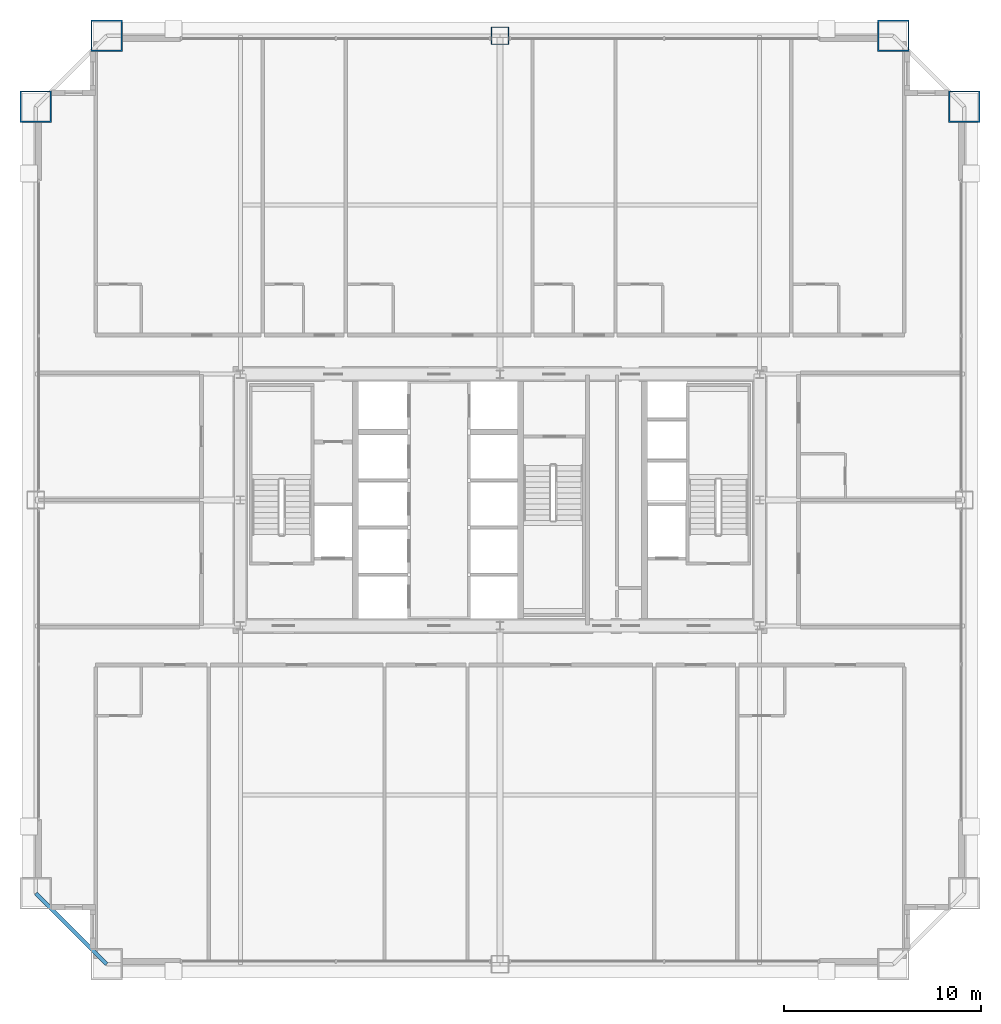
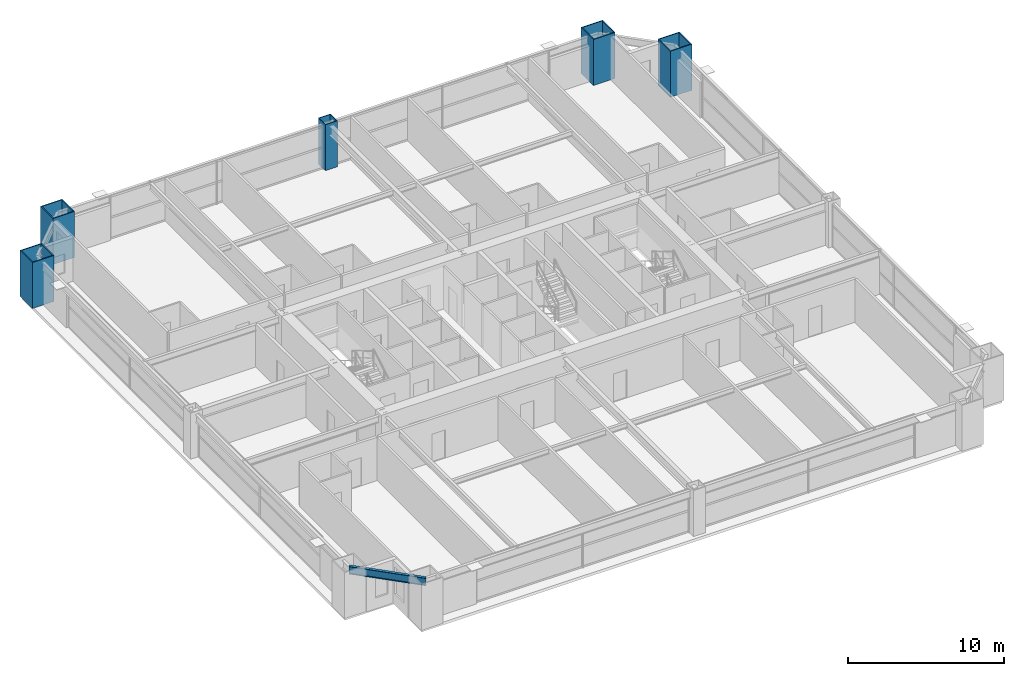
# One storey, part 3 of 39: 5 columns, 1 beam.
"""IFC4 building model written with IfcOpenShell, lengths in metres."""

import ifcopenshell
import ifcopenshell.guid

model = None  # the IFC model being written
_history = None  # IfcOwnerHistory: only IFC2X3 demands one
_inside = {}  # id of a spatial element -> (the spatial element, [elements in it])
_under = {}  # id of a project, library or spatial element -> (it, [spatial elements below it])
_declared = {}  # id of a project -> (the project, [libraries it declares])
_typed = {}  # id of a type object -> (the type object, [elements of that type])
_made_of = {}  # id of a material, layer set ... -> (it, [elements and type objects made of it])


def new_model(schema):
    """Start an empty IFC model of exactly this schema.

    Asked for "IFC4X3", IfcOpenShell would pick the latest addendum, in which some entities
    have other attributes; the version numbers below select the first issue.
    IFC2X3 requires an IfcOwnerHistory on every rooted entity: one is made here for all.
    """
    global model, _history
    if schema == "IFC4X3":
        model = ifcopenshell.file(schema_version=(4, 3, 0, 0))
    else:
        model = ifcopenshell.file(schema=schema)
    _inside.clear()
    _under.clear()
    _declared.clear()
    _typed.clear()
    _made_of.clear()
    _history = None
    if model.schema == "IFC2X3":
        org = make("IfcOrganization", Name="unknown")
        user = make(
            "IfcPersonAndOrganization",
            ThePerson=make("IfcPerson", FamilyName="unknown"),
            TheOrganization=org,
        )
        app = make(
            "IfcApplication",
            ApplicationDeveloper=org,
            Version="unknown",
            ApplicationFullName="unknown",
            ApplicationIdentifier="unknown",
        )
        _history = make(
            "IfcOwnerHistory",
            OwningUser=user,
            OwningApplication=app,
            ChangeAction="ADDED",
            CreationDate=0,
        )
    return model


def make(cls, **values):
    """One entity of the class cls with the attributes given. An attribute that is None is left unset."""
    return model.create_entity(
        cls, **{name: value for name, value in values.items() if value is not None}
    )


def rooted(cls, **values):
    """An entity with a GlobalId (a new one), such as an element, a storey or a relation."""
    return make(cls, GlobalId=ifcopenshell.guid.new(), OwnerHistory=_history, **values)


def si_unit(unit_type, name, prefix=None):
    """IfcSIUnit, for example si_unit("LENGTHUNIT", "METRE", prefix="MILLI")."""
    return make("IfcSIUnit", UnitType=unit_type, Prefix=prefix, Name=name)


def assignment(units):
    """IfcUnitAssignment: the units of a project."""
    return None if units is None else make("IfcUnitAssignment", Units=units)


def point(xyz):
    """IfcCartesianPoint."""
    return None if xyz is None else make("IfcCartesianPoint", Coordinates=xyz)


def direction(xyz):
    """IfcDirection."""
    return None if xyz is None else make("IfcDirection", DirectionRatios=xyz)


def frame(location, z_axis=None, x_axis=None):
    """IfcAxis2Placement3D, a coordinate frame: its origin and axes. An axis left out is left unset."""
    return make(
        "IfcAxis2Placement3D",
        Location=point(location),
        Axis=direction(z_axis),
        RefDirection=direction(x_axis),
    )


def frame_2d(location, x_axis=None):
    """IfcAxis2Placement2D, a coordinate frame in the plane: its origin and x axis."""
    return make(
        "IfcAxis2Placement2D", Location=point(location), RefDirection=direction(x_axis)
    )


def origin():
    """The frame at (0, 0, 0) with its axes left unset."""
    return frame((0.0, 0.0, 0.0))


def origin_2d():
    """The frame at (0, 0) in the plane with its x axis left unset."""
    return frame_2d((0.0, 0.0))


def place(relative_to, where):
    """IfcLocalPlacement: puts the frame where relative to a parent placement (None: the world)."""
    return make(
        "IfcLocalPlacement", PlacementRelTo=relative_to, RelativePlacement=where
    )


def context(
    kind, dimensions, precision=None, world=None, true_north=None, identifier=None
):
    """IfcGeometricRepresentationContext, for example the 3D "Model" context."""
    return make(
        "IfcGeometricRepresentationContext",
        ContextIdentifier=identifier,
        ContextType=kind,
        CoordinateSpaceDimension=dimensions,
        Precision=precision,
        WorldCoordinateSystem=world,
        TrueNorth=true_north,
    )


def subcontext(parent, identifier, kind, view, scale=None):
    """IfcGeometricRepresentationSubContext, for example "Body" below "Model"."""
    return make(
        "IfcGeometricRepresentationSubContext",
        ContextIdentifier=identifier,
        ContextType=kind,
        ParentContext=parent,
        TargetScale=scale,
        TargetView=view,
    )


def project(units=None, contexts=None):
    """IfcProject with its units and contexts."""
    return rooted(
        "IfcProject",
        Name="project",
        RepresentationContexts=contexts,
        UnitsInContext=assignment(units),
    )


def spatial(cls, under=None, at=None, **own):
    """A site, building, storey or space (cls), placed at a placement, below another one or the project."""
    s = rooted(cls, ObjectPlacement=at, **own)
    if under is not None:
        _under.setdefault(under.id(), (under, []))[1].append(s)
    return s


def profile(cls, at=None, kind="AREA", **sizes):
    """A parametric profile (cls). Its sizes go by their IFC names, for example OverallWidth=200.0."""
    return make(cls, ProfileType=kind, Position=at, **sizes)


def hollow_rectangle(**sizes):
    """IfcRectangleHollowProfileDef."""
    return profile("IfcRectangleHollowProfileDef", **sizes)


def i_section(**sizes):
    """IfcIShapeProfileDef."""
    return profile("IfcIShapeProfileDef", **sizes)


def extrude(swept, where, along, depth):
    """IfcExtrudedAreaSolid: the profile swept, set in the frame where, extruded along a direction by depth."""
    return make(
        "IfcExtrudedAreaSolid",
        SweptArea=swept,
        Position=where,
        ExtrudedDirection=direction(along),
        Depth=depth,
    )


def shape(context_of_items, identifier, shape_type, items):
    """IfcShapeRepresentation: the items that make up one representation, for example the "Body"."""
    return make(
        "IfcShapeRepresentation",
        ContextOfItems=context_of_items,
        RepresentationIdentifier=identifier,
        RepresentationType=shape_type,
        Items=items,
    )


def source(mapping_origin, context_of_items, identifier, shape_type, items):
    """IfcRepresentationMap: a shape defined once, which mapped items show again and again."""
    return make(
        "IfcRepresentationMap",
        MappingOrigin=mapping_origin,
        MappedRepresentation=shape(context_of_items, identifier, shape_type, items),
    )


def transform(
    local_origin,
    x_axis=None,
    y_axis=None,
    z_axis=None,
    scale=None,
    scale2=None,
    scale3=None,
    uniform=True,
):
    """IfcCartesianTransformationOperator3D, or its non-uniform kind. x_axis, y_axis, z_axis: its Axis1, 2, 3."""
    if uniform:
        return make(
            "IfcCartesianTransformationOperator3D",
            Axis1=direction(x_axis),
            Axis2=direction(y_axis),
            LocalOrigin=point(local_origin),
            Scale=scale,
            Axis3=direction(z_axis),
        )
    return make(
        "IfcCartesianTransformationOperator3DnonUniform",
        Axis1=direction(x_axis),
        Axis2=direction(y_axis),
        LocalOrigin=point(local_origin),
        Scale=scale,
        Axis3=direction(z_axis),
        Scale2=scale2,
        Scale3=scale3,
    )


def mapped(mapping_source, mapping_target):
    """IfcMappedItem: shows the shape of a source again, moved by a transform."""
    return make(
        "IfcMappedItem", MappingSource=mapping_source, MappingTarget=mapping_target
    )


def material(Name=None, Category=None):
    """IfcMaterial."""
    return make("IfcMaterial", Name=Name, Category=Category)


def material_profile(
    of_material, cross_section, Name=None, Category=None, Priority=None
):
    """IfcMaterialProfile: a cross section and its material."""
    return make(
        "IfcMaterialProfile",
        Name=Name,
        Material=of_material,
        Profile=cross_section,
        Priority=Priority,
        Category=Category,
    )


def profile_set(profiles, Name=None, composite=None):
    """IfcMaterialProfileSet."""
    return make(
        "IfcMaterialProfileSet",
        Name=Name,
        MaterialProfiles=profiles,
        CompositeProfile=composite,
    )


def made_of(thing, what):
    """Note that an element or type object is made of a material, layer set ...; save() writes the relation."""
    if what is not None:
        _made_of.setdefault(what.id(), (what, []))[1].append(thing)
    return thing


def type_object(cls, material=None, **own):
    """A type object (cls), such as IfcWallType, which elements share."""
    return made_of(rooted(cls, **own), material)


def element(
    cls,
    number,
    at=None,
    inside=None,
    cuts=None,
    type_object=None,
    material=None,
    context=None,
    identifier="Body",
    shape_type=None,
    held_by="IfcProductDefinitionShape",
    body=None,
    shapes=None,
    **own,
):
    """One element of the class cls, such as IfcWall. Its Tag is "e" and its number.

    at: its placement. inside: the storey or other place that contains it. cuts: it is an
    opening in that element (IfcRelVoidsElement). A single representation is given by context,
    identifier, shape_type and body (its items); several are given by shapes. held_by: the class
    of the entity that holds the representations. save() writes the other relations.
    """
    e = rooted(cls, Tag="e%d" % number, ObjectPlacement=at, **own)
    if body is not None:
        shapes = [shape(context, identifier, shape_type, body)]
    if shapes is not None:
        e.Representation = make(held_by, Representations=shapes)
    if inside is not None:
        _inside.setdefault(inside.id(), (inside, []))[1].append(e)
    if cuts is not None:
        rooted(
            "IfcRelVoidsElement", RelatingBuildingElement=cuts, RelatedOpeningElement=e
        )
    if type_object is not None:
        _typed.setdefault(type_object.id(), (type_object, []))[1].append(e)
    return made_of(e, material)


def aggregate(whole, parts):
    """IfcRelAggregates: a whole, such as a stair, and the parts it consists of."""
    return rooted("IfcRelAggregates", RelatingObject=whole, RelatedObjects=parts)


def save(model, path):
    """Write the relations noted so far, then the file.

    IfcRelAggregates (storeys below a building ...), IfcRelContainedInSpatialStructure (elements
    in a storey), IfcRelDefinesByType, IfcRelAssociatesMaterial and IfcRelDeclares: one each for
    every whole, place, type object, material and project.
    """
    for whole, parts in _under.values():
        aggregate(whole, parts)
    for where, things in _inside.values():
        rooted(
            "IfcRelContainedInSpatialStructure",
            RelatedElements=things,
            RelatingStructure=where,
        )
    for kind, things in _typed.values():
        rooted("IfcRelDefinesByType", RelatedObjects=things, RelatingType=kind)
    for what, things in _made_of.values():
        rooted("IfcRelAssociatesMaterial", RelatedObjects=things, RelatingMaterial=what)
    for by, libraries in _declared.values():
        rooted("IfcRelDeclares", RelatingContext=by, RelatedDefinitions=libraries)
    model.write(path)


model = new_model("IFC4")

# Units and contexts
model_context = context("Model", 3, precision=1e-05, world=origin(), true_north=direction((0.0, 1.0)))
body_context = subcontext(model_context, "Body", "Model", "MODEL_VIEW")
ifc_project = project(units=[si_unit("LENGTHUNIT", "METRE"), si_unit("AREAUNIT", "SQUARE_METRE"), si_unit("VOLUMEUNIT", "CUBIC_METRE"), si_unit("PLANEANGLEUNIT", "RADIAN"), si_unit("MASSUNIT", "GRAM", prefix="KILO"), si_unit("THERMODYNAMICTEMPERATUREUNIT", "KELVIN"), si_unit("POWERUNIT", "WATT")], contexts=[model_context])

# Site, building, storey
site_placement = place(None, origin())
site = spatial("IfcSite", under=ifc_project, at=site_placement, CompositionType="ELEMENT")
building_placement = place(site_placement, origin())
building = spatial("IfcBuilding", under=site, at=building_placement, Name="Yuzanri Waterfront Tower", CompositionType="ELEMENT")
storey_placement = place(building_placement, frame((0.0, 0.0, 148.800048828125)))
storey = spatial("IfcBuildingStorey", under=building, at=storey_placement, Name="L39", CompositionType="ELEMENT", Elevation=148.800048828125)

# Columns
ifc_material_1 = material(Name="Steel Q390GJC", Category="steel")
ifc_material_profile_1 = material_profile(ifc_material_1, hollow_rectangle(XDim=0.89990234375, YDim=0.89990234375, WallThickness=0.0419921875, at=origin_2d()), Name="RHS 900x900x42")
ifc_profile_set_1 = profile_set([ifc_material_profile_1], Name="Steel Q390GJC")
column_type_1 = type_object("IfcColumnType", Name="Frame Column Q390GJC RHS 900x900x42", PredefinedType="COLUMN", material=ifc_profile_set_1)
shared_shape_1 = source(origin(), body_context, "Body", "SweptSolid", [
    extrude(hollow_rectangle(XDim=0.89990234375, YDim=0.89990234375, WallThickness=0.0419921875, at=origin_2d()), origin(), (0.0, 0.0, 1.0), 3.599853515625),
])
column_placement = place(storey_placement, frame((37.0, 49.39990234375, 0.0), z_axis=(0.0, 0.0, 1.0), x_axis=(1.0, 0.0, 0.0)))
element("IfcColumn", 1, at=column_placement, inside=storey, type_object=column_type_1, Name="L39 Perimeter Frame Column N2", PredefinedType="COLUMN", context=body_context, shape_type="MappedRepresentation", body=[
    mapped(shared_shape_1, transform((0.0, 0.0, 0.0), scale=1.0)),
])
ifc_material_2 = material(Name="Steel Q420GJC", Category="steel")
ifc_material_profile_2 = material_profile(ifc_material_2, hollow_rectangle(XDim=1.60009765625, YDim=1.60009765625, WallThickness=0.070068359375, at=origin_2d()), Name="RHS 1600x1600x70")
ifc_profile_set_2 = profile_set([ifc_material_profile_2], Name="Steel Q420GJC")
column_type_2 = type_object("IfcColumnType", Name="Mega Column Q420GJC RHS 1600x1600x70", PredefinedType="COLUMN", material=ifc_profile_set_2)
shared_shape_2 = source(origin(), body_context, "Body", "SweptSolid", [
    extrude(hollow_rectangle(XDim=1.60009765625, YDim=1.60009765625, WallThickness=0.070068359375, at=origin_2d()), origin(), (0.0, 0.0, 1.0), 3.599853515625),
])
for number, where, z_axis, x_axis, name in (
    (2, (17.0, 49.39990234375, 0.0), (0.0, 0.0, 1.0), (1.0, 0.0, 0.0), "L39 Perimeter Mega Column N1"),
    (3, (57.0, 49.39990234375, 0.0), (0.0, 0.0, 1.0), (1.0, 0.0, 0.0), "L39 Perimeter Mega Column N3"),
    (4, (13.39990234375, 45.800048828125, 0.0), (0.0, 0.0, 1.0), (1.0, 0.0, 0.0), "L39 Perimeter Mega Column W3"),
    (5, (60.60009765625, 45.800048828125, 0.0), (0.0, 0.0, 1.0), (1.0, 0.0, 0.0), "L39 Perimeter Mega Column E3"),
):
    element("IfcColumn", number, at=place(storey_placement, frame(where, z_axis=z_axis, x_axis=x_axis)), inside=storey, type_object=column_type_2, Name=name, PredefinedType="COLUMN", context=body_context, shape_type="MappedRepresentation", body=[
        mapped(shared_shape_2, transform((0.0, 0.0, 0.0), scale=1.0)),
    ])

# Beam
ifc_material_3 = material(Name="Steel Q355B", Category="steel")
ifc_material_profile_3 = material_profile(ifc_material_3, i_section(OverallWidth=0.199951171875, OverallDepth=0.60009765625, WebThickness=0.010986328125, FlangeThickness=0.01708984375, at=origin_2d()), Name="HN 600x200x11x17")
ifc_profile_set_3 = profile_set([ifc_material_profile_3], Name="Steel Q355B")
beam_type = type_object("IfcBeamType", Name="Perimeter Spandrel Q355B HN 600x200", PredefinedType="SPANDREL", material=ifc_profile_set_3)
shared_shape_3 = source(origin(), body_context, "Body", "SweptSolid", [
    extrude(i_section(OverallWidth=0.199951171875, OverallDepth=0.60009765625, WebThickness=0.010986328125, FlangeThickness=0.01708984375, at=origin_2d()), origin(), (0.0, 0.0, 1.0), 5.09130859375),
])
beam_placement = place(storey_placement, frame((13.39990234375, 5.800048828125, 3.079833984375), z_axis=(0.707106781187, -0.707106781187, 0.0), x_axis=(0.707106781187, 0.707106781187, 0.0)))
element("IfcBeam", 6, at=beam_placement, inside=storey, type_object=beam_type, Name="L39 Perimeter Spandrel W1-S1", PredefinedType="SPANDREL", context=body_context, shape_type="MappedRepresentation", body=[
    mapped(shared_shape_3, transform((0.0, 0.0, 0.0), scale=1.0)),
])

save(model, "model.ifc")
